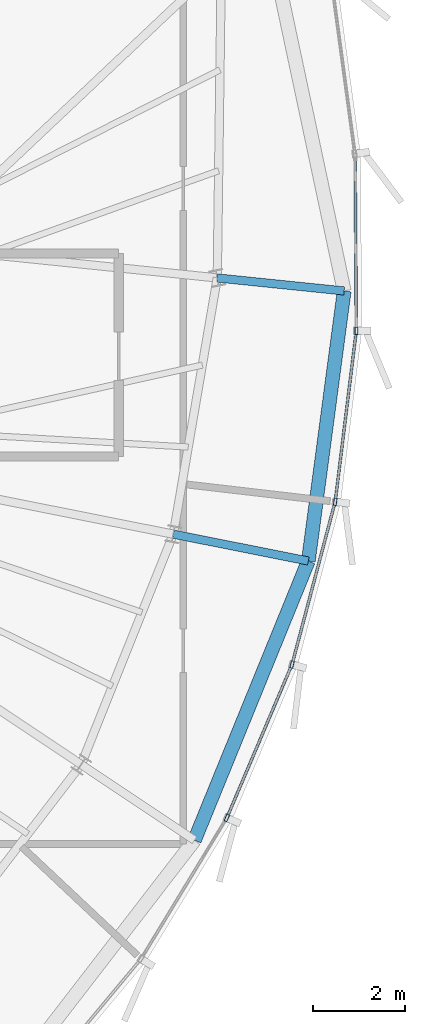
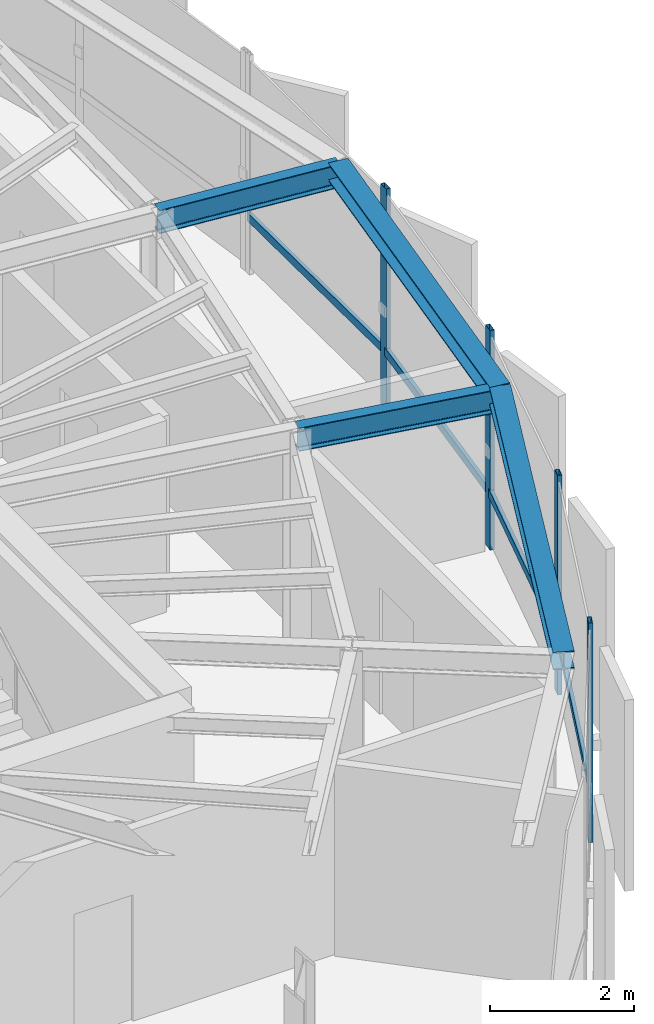
# One storey, part 12 of 26: 8 members, 4 beams, 1 element without a shape of its own.
"""IFC4 building model written with IfcOpenShell, lengths in metres."""

from ifc_helpers import new_model, si_unit, direction, frame, origin, origin_2d, place, context, subcontext, project, spatial, hollow_rectangle, i_section, extrude, source, transform, mapped, material, layer, layer_set, material_profile, profile_set, type_object, element, aggregate, save


model = new_model("IFC4")

# Units and contexts
model_context = context("Model", 3, precision=1e-05, world=origin(), true_north=direction((0.0, 1.0)))
body_context = subcontext(model_context, "Body", "Model", "MODEL_VIEW")
ifc_project = project(units=[si_unit("LENGTHUNIT", "METRE"), si_unit("AREAUNIT", "SQUARE_METRE"), si_unit("VOLUMEUNIT", "CUBIC_METRE"), si_unit("PLANEANGLEUNIT", "RADIAN"), si_unit("MASSUNIT", "GRAM", prefix="KILO"), si_unit("THERMODYNAMICTEMPERATUREUNIT", "KELVIN")], contexts=[model_context])

# Site, building, storey
site_placement = place(None, origin())
site = spatial("IfcSite", under=ifc_project, at=site_placement, CompositionType="ELEMENT")
building_placement = place(site_placement, origin())
building = spatial("IfcBuilding", under=site, at=building_placement, Name="Kethvar Cultural Tower", CompositionType="ELEMENT")
storey_placement = place(building_placement, frame((0.0, 0.0, 320.300048828125)))
storey = spatial("IfcBuildingStorey", under=building, at=storey_placement, Name="L85", CompositionType="ELEMENT", Elevation=320.300048828125)

# Beams
ifc_material_1 = material(Name="Steel S355J2", Category="steel")
ifc_material_profile_1 = material_profile(ifc_material_1, i_section(OverallWidth=0.179931640625, OverallDepth=0.39990234375, WebThickness=0.008544921875, FlangeThickness=0.013427734375, FilletRadius=0.02099609375, at=origin_2d()), Name="Steel S355J2 — IPE400")
ifc_profile_set_1 = profile_set([ifc_material_profile_1], Name="Steel S355J2 — IPE400")
beam_type_1 = type_object("IfcBeamType", Name="BM-IPE400", PredefinedType="BEAM", material=ifc_profile_set_1)
shared_shape_1 = source(origin(), body_context, "Body", "SweptSolid", [
    extrude(i_section(OverallWidth=0.179931640625, OverallDepth=0.39990234375, WebThickness=0.008544921875, FlangeThickness=0.013427734375, FilletRadius=0.02099609375, at=origin_2d()), origin(), (0.0, 0.0, 1.0), 2.76513671875),
])
beam_1_placement = place(storey_placement, frame((61.237060546875, 30.671630859375, 3.532958984375), z_axis=(0.994777761556, -0.102064710425, 0.0), x_axis=(0.102064710425, 0.994777761556, 0.0)))
element("IfcBeam", 1, at=beam_1_placement, inside=storey, type_object=beam_type_1, Name="L85 Perimeter Cantilever Beam RC-01", PredefinedType="BEAM", context=body_context, shape_type="MappedRepresentation", body=[
    mapped(shared_shape_1, transform((0.0, 0.0, 0.0), scale=1.0)),
])
shared_shape_2 = source(origin(), body_context, "Body", "SweptSolid", [
    extrude(i_section(OverallWidth=0.179931640625, OverallDepth=0.39990234375, WebThickness=0.008544921875, FlangeThickness=0.013427734375, FilletRadius=0.02099609375, at=origin_2d()), origin(), (0.0, 0.0, 1.0), 2.984619140625),
])
beam_2_placement = place(storey_placement, frame((60.28369140625, 25.117919921875, 3.532958984375), z_axis=(0.980784643133, -0.195093525761, 0.0), x_axis=(0.195093525761, 0.980784643133, 0.0)))
element("IfcBeam", 2, at=beam_2_placement, inside=storey, type_object=beam_type_1, Name="L85 Perimeter Cantilever Beam RC-16", PredefinedType="BEAM", context=body_context, shape_type="MappedRepresentation", body=[
    mapped(shared_shape_2, transform((0.0, 0.0, 0.0), scale=1.0)),
])
ifc_material_profile_2 = material_profile(ifc_material_1, i_section(OverallWidth=0.300048828125, OverallDepth=0.300048828125, WebThickness=0.010986328125, FlangeThickness=0.01904296875, FilletRadius=0.027099609375, at=origin_2d()), Name="Steel S355J2 — HEB300")
ifc_profile_set_2 = profile_set([ifc_material_profile_2], Name="Steel S355J2 — HEB300")
beam_type_2 = type_object("IfcBeamType", Name="BM-SP300", PredefinedType="SPANDREL", material=ifc_profile_set_2)
shared_shape_3 = source(origin(), body_context, "Body", "SweptSolid", [
    extrude(i_section(OverallWidth=0.300048828125, OverallDepth=0.300048828125, WebThickness=0.010986328125, FlangeThickness=0.01904296875, FilletRadius=0.027099609375, at=origin_2d()), origin(), (0.0, 0.0, 1.0), 6.5361328125),
])
beam_3_placement = place(storey_placement, frame((60.742919921875, 18.4833984375, 3.5830078125), z_axis=(0.37759705026, 0.925970014436, 0.0), x_axis=(-0.925970014436, 0.37759705026, 0.0)))
element("IfcBeam", 3, at=beam_3_placement, inside=storey, type_object=beam_type_2, Name="L85 Perimeter Spandrel Beam SP-15", PredefinedType="SPANDREL", context=body_context, shape_type="MappedRepresentation", body=[
    mapped(shared_shape_3, transform((0.0, 0.0, 0.0), scale=1.0)),
])
shared_shape_4 = source(origin(), body_context, "Body", "SweptSolid", [
    extrude(i_section(OverallWidth=0.300048828125, OverallDepth=0.300048828125, WebThickness=0.010986328125, FlangeThickness=0.01904296875, FilletRadius=0.027099609375, at=origin_2d()), origin(), (0.0, 0.0, 1.0), 5.905029296875),
])
beam_4_placement = place(storey_placement, frame((63.2109375, 24.53564453125, 3.5830078125), z_axis=(0.131557073805, 0.991308597931, 0.0), x_axis=(-0.991308597931, 0.131557073805, 0.0)))
element("IfcBeam", 4, at=beam_4_placement, inside=storey, type_object=beam_type_2, Name="L85 Perimeter Spandrel Beam SP-16", PredefinedType="SPANDREL", context=body_context, shape_type="MappedRepresentation", body=[
    mapped(shared_shape_4, transform((0.0, 0.0, 0.0), scale=1.0)),
])

# Curtain wall, members
ifc_material_2 = material(Name="Aluminium 6063-T6", Category="aluminium")
ifc_layer = layer(ifc_material_2, 0.179931640625, Name="Aluminium 6063-T6", Category="aluminium")
ifc_layer_set = layer_set([ifc_layer], Name="Aluminium 6063-T6 (180 mm)")
curtain_wall_type = type_object("IfcCurtainWallType", Name="CW-SYS-06-CROWN", PredefinedType="NOTDEFINED", material=ifc_layer_set)
curtain_wall_placement = place(storey_placement, origin())
curtain_wall = element("IfcCurtainWall", 5, at=curtain_wall_placement, inside=storey, type_object=curtain_wall_type, Name="L85 Curtain Wall Run 05", PredefinedType="NOTDEFINED")
ifc_material_profile_3 = material_profile(ifc_material_2, hollow_rectangle(XDim=0.06494140625, YDim=0.159912109375, WallThickness=0.0048828125, at=origin_2d()), Name="Aluminium 6063-T6 — RHS160x65x5")
ifc_profile_set_3 = profile_set([ifc_material_profile_3], Name="Aluminium 6063-T6 — RHS160x65x5")
member_type_1 = type_object("IfcMemberType", Name="CW-SYS-06-CROWN-MUL", PredefinedType="MULLION", material=ifc_profile_set_3)
shared_shape_5 = source(origin(), body_context, "Body", "SweptSolid", [
    extrude(hollow_rectangle(XDim=0.06494140625, YDim=0.159912109375, WallThickness=0.0048828125, at=origin_2d()), origin(), (0.0, 0.0, 1.0), 3.73486328125),
])
member_1_placement = place(storey_placement, frame((61.444580078125, 18.967529296875, 0.0), z_axis=(0.0, 0.0, 1.0), x_axis=(-0.920491213802, 0.390763259932, 0.0)))
member_1 = element("IfcMember", 6, at=member_1_placement, type_object=member_type_1, Name="CW-L85-R05 Mullion 3", PredefinedType="MULLION", context=body_context, shape_type="MappedRepresentation", body=[
    mapped(shared_shape_5, transform((0.0, 0.0, 0.0), scale=1.0)),
])
member_2_placement = place(storey_placement, frame((62.85791015625, 22.293212890625, 0.0), z_axis=(0.0, 0.0, 1.0), x_axis=(-0.966653757937, 0.256086923261, 0.0)))
member_2 = element("IfcMember", 7, at=member_2_placement, type_object=member_type_1, Name="CW-L85-R05 Mullion 4", PredefinedType="MULLION", context=body_context, shape_type="MappedRepresentation", body=[
    mapped(shared_shape_5, transform((0.0, 0.0, 0.0), scale=1.0)),
])
member_3_placement = place(storey_placement, frame((63.79345703125, 25.820556640625, 0.0), z_axis=(0.0, 0.0, 1.0), x_axis=(-0.992495016056, 0.122285089461, 0.0)))
member_3 = element("IfcMember", 8, at=member_3_placement, type_object=member_type_1, Name="CW-L85-R05 Mullion 5", PredefinedType="MULLION", context=body_context, shape_type="MappedRepresentation", body=[
    mapped(shared_shape_5, transform((0.0, 0.0, 0.0), scale=1.0)),
])
member_4_placement = place(storey_placement, frame((64.250732421875, 29.52490234375, 0.0), z_axis=(0.0, 0.0, 1.0), x_axis=(-0.999976595726, -0.006841637293, 0.0)))
member_4 = element("IfcMember", 9, at=member_4_placement, type_object=member_type_1, Name="CW-L85-R05 Mullion 6", PredefinedType="MULLION", context=body_context, shape_type="MappedRepresentation", body=[
    mapped(shared_shape_5, transform((0.0, 0.0, 0.0), scale=1.0)),
])
ifc_material_profile_4 = material_profile(ifc_material_2, hollow_rectangle(XDim=0.06005859375, YDim=0.139892578125, WallThickness=0.0048828125, at=origin_2d()), Name="Aluminium 6063-T6 — RHS140x60x5")
ifc_profile_set_4 = profile_set([ifc_material_profile_4], Name="Aluminium 6063-T6 — RHS140x60x5")
member_type_2 = type_object("IfcMemberType", Name="CW-SYS-06-CROWN-TRN", PredefinedType="USERDEFINED", material=ifc_profile_set_4)
shared_shape_6 = source(origin(), body_context, "Body", "SweptSolid", [
    extrude(hollow_rectangle(XDim=0.06005859375, YDim=0.139892578125, WallThickness=0.0048828125, at=origin_2d()), origin(), (0.0, 0.0, 1.0), 3.71826171875),
])
member_5_placement = place(storey_placement, frame((64.25048828125, 29.571533203125, 0.949951171875), z_axis=(-0.006828468504, 0.999976685737, 0.0), x_axis=(-0.999976685737, -0.006828468504, 0.0)))
member_5 = element("IfcMember", 10, at=member_5_placement, type_object=member_type_2, Name="CW-L85-R05 Transom 6", ObjectType="TRANSOM", PredefinedType="USERDEFINED", context=body_context, shape_type="MappedRepresentation", body=[
    mapped(shared_shape_6, transform((0.0, 0.0, 0.0), scale=1.0)),
])
shared_shape_7 = source(origin(), body_context, "Body", "SweptSolid", [
    extrude(hollow_rectangle(XDim=0.06005859375, YDim=0.139892578125, WallThickness=0.0048828125, at=origin_2d()), origin(), (0.0, 0.0, 1.0), 3.654296875),
])
member_6_placement = place(storey_placement, frame((63.799072265625, 25.866943359375, 0.949951171875), z_axis=(0.122324281857, 0.992490186384, 0.0), x_axis=(-0.992490186384, 0.122324281857, 0.0)))
member_6 = element("IfcMember", 11, at=member_6_placement, type_object=member_type_2, Name="CW-L85-R05 Transom 5", ObjectType="TRANSOM", PredefinedType="USERDEFINED", context=body_context, shape_type="MappedRepresentation", body=[
    mapped(shared_shape_7, transform((0.0, 0.0, 0.0), scale=1.0)),
])
shared_shape_8 = source(origin(), body_context, "Body", "SweptSolid", [
    extrude(hollow_rectangle(XDim=0.06005859375, YDim=0.139892578125, WallThickness=0.0048828125, at=origin_2d()), origin(), (0.0, 0.0, 1.0), 3.537109375),
])
member_7_placement = place(storey_placement, frame((61.462890625, 19.010498046875, 0.949951171875), z_axis=(0.390801533612, 0.920474965073, 0.0), x_axis=(-0.920474965073, 0.390801533612, 0.0)))
member_7 = element("IfcMember", 12, at=member_7_placement, type_object=member_type_2, Name="CW-L85-R05 Transom 3", ObjectType="TRANSOM", PredefinedType="USERDEFINED", context=body_context, shape_type="MappedRepresentation", body=[
    mapped(shared_shape_8, transform((0.0, 0.0, 0.0), scale=1.0)),
])
shared_shape_9 = source(origin(), body_context, "Body", "SweptSolid", [
    extrude(hollow_rectangle(XDim=0.06005859375, YDim=0.139892578125, WallThickness=0.0048828125, at=origin_2d()), origin(), (0.0, 0.0, 1.0), 3.572265625),
])
member_8_placement = place(storey_placement, frame((62.869873046875, 22.33837890625, 0.949951171875), z_axis=(0.256020297448, 0.96667140606, 0.0), x_axis=(-0.96667140606, 0.256020297448, 0.0)))
member_8 = element("IfcMember", 13, at=member_8_placement, type_object=member_type_2, Name="CW-L85-R05 Transom 4", ObjectType="TRANSOM", PredefinedType="USERDEFINED", context=body_context, shape_type="MappedRepresentation", body=[
    mapped(shared_shape_9, transform((0.0, 0.0, 0.0), scale=1.0)),
])
aggregate(curtain_wall, [member_1, member_2, member_3, member_4, member_7, member_8, member_6, member_5])

save(model, "model.ifc")
